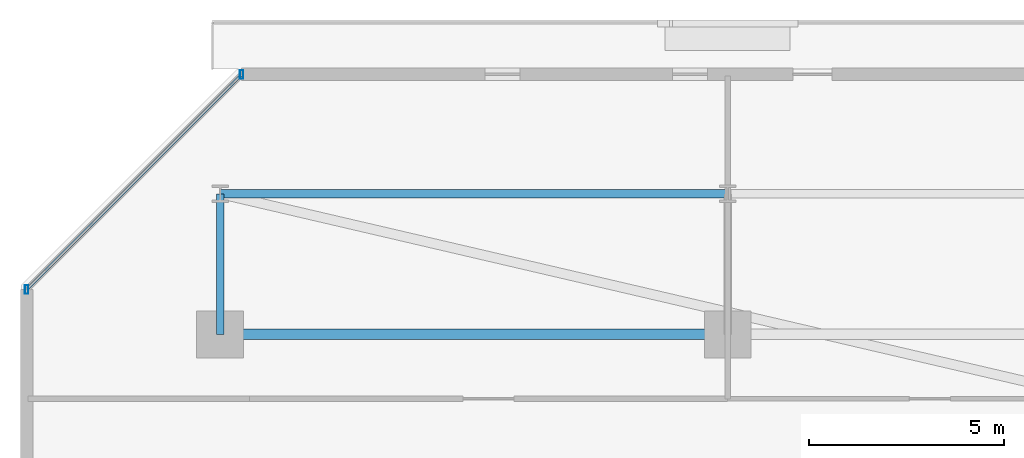
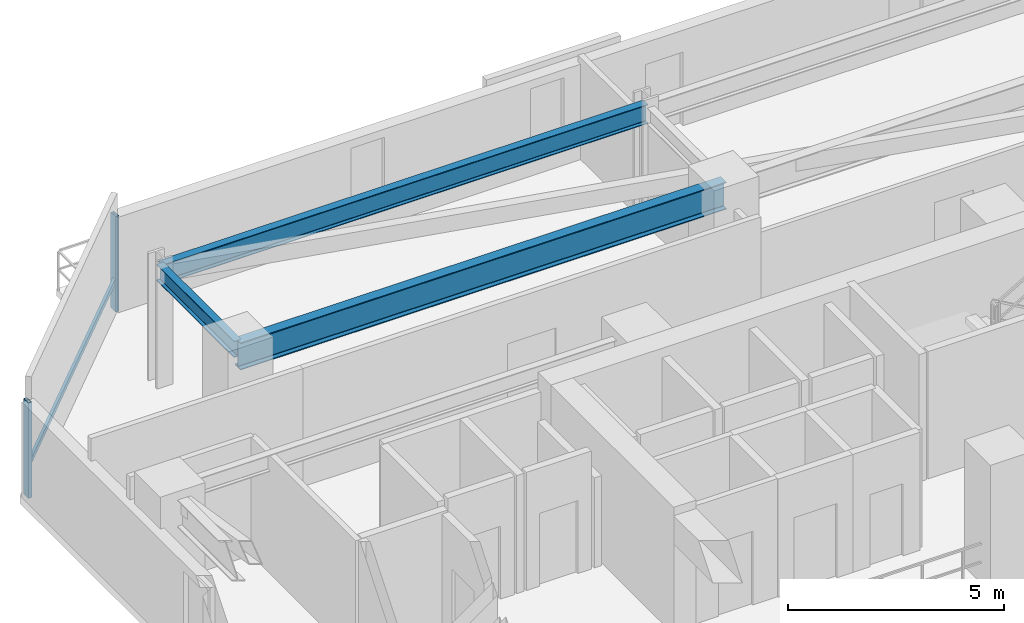
# One storey, part 8 of 29: 3 beams, 3 members, 1 element without a shape of its own.
"""IFC4 building model written with IfcOpenShell, lengths in metres."""

from ifc_helpers import new_model, si_unit, direction, frame, origin, origin_2d, place, context, subcontext, project, spatial, hollow_rectangle, i_section, extrude, material, material_profile, profile_set, type_object, element, aggregate, save


model = new_model("IFC4")

# Units and contexts
model_context = context("Model", 3, precision=1e-05, world=origin(), true_north=direction((0.0, 1.0)))
body_context = subcontext(model_context, "Body", "Model", "MODEL_VIEW")
ifc_project = project(units=[si_unit("LENGTHUNIT", "METRE"), si_unit("AREAUNIT", "SQUARE_METRE"), si_unit("VOLUMEUNIT", "CUBIC_METRE"), si_unit("PLANEANGLEUNIT", "RADIAN"), si_unit("MASSUNIT", "GRAM", prefix="KILO")], contexts=[model_context])

# Site, building, storey
site_placement = place(None, origin())
site = spatial("IfcSite", under=ifc_project, at=site_placement, CompositionType="ELEMENT")
building_placement = place(site_placement, origin())
building = spatial("IfcBuilding", under=site, at=building_placement, Name="Thornwick Lancets Civic Towers", CompositionType="ELEMENT")
storey_placement = place(building_placement, frame((0.0, 0.0, 83.699951171875)))
storey = spatial("IfcBuildingStorey", under=building, at=storey_placement, Name="L21", CompositionType="ELEMENT", Elevation=83.699951171875)

# Beams
ifc_material_1 = material(Name="Steel S355JR", Category="steel")
ifc_material_profile_1 = material_profile(ifc_material_1, i_section(OverallWidth=0.2119140625, OverallDepth=0.54443359375, WebThickness=0.0126953125, FlangeThickness=0.021240234375, FilletRadius=0.0126953125, at=origin_2d()), Name="UKB 533x210x122")
ifc_profile_set_1 = profile_set([ifc_material_profile_1], Name="Steel S355JR")
beam_type_1 = type_object("IfcBeamType", Name="BM_EDGE_533_122", PredefinedType="SPANDREL", material=ifc_profile_set_1)
beam_1_placement = place(storey_placement, frame((12.5, 47.89990234375, 3.087890625), z_axis=(1.0, 0.0, 0.0), x_axis=(0.0, 1.0, 0.0)))
element("IfcBeam", 1, at=beam_1_placement, inside=storey, type_object=beam_type_1, Name="BM-EDGE-L21-A-S2-1", PredefinedType="SPANDREL", context=body_context, shape_type="SweptSolid", body=[
    extrude(i_section(OverallWidth=0.2119140625, OverallDepth=0.54443359375, WebThickness=0.0126953125, FlangeThickness=0.021240234375, FilletRadius=0.0126953125, at=origin_2d()), origin(), (0.0, 0.0, 1.0), 13.0),
])
ifc_material_profile_2 = material_profile(ifc_material_1, i_section(OverallWidth=0.26806640625, OverallDepth=0.769775390625, WebThickness=0.015625, FlangeThickness=0.025390625, FilletRadius=0.0166015625, at=origin_2d()), Name="UKB 762x267x197")
ifc_profile_set_2 = profile_set([ifc_material_profile_2], Name="Steel S355JR")
beam_type_2 = type_object("IfcBeamType", Name="BM_GIRD_762_197", PredefinedType="BEAM", material=ifc_profile_set_2)
beam_2_placement = place(storey_placement, frame((12.5, 44.300048828125, 2.97509765625), z_axis=(1.0, 0.0, 0.0), x_axis=(0.0, 1.0, 0.0)))
element("IfcBeam", 2, at=beam_2_placement, inside=storey, type_object=beam_type_2, Name="BM-SPINE-L21-A-6-7", PredefinedType="BEAM", context=body_context, shape_type="SweptSolid", body=[
    extrude(i_section(OverallWidth=0.26806640625, OverallDepth=0.769775390625, WebThickness=0.015625, FlangeThickness=0.025390625, FilletRadius=0.0166015625, at=origin_2d()), origin(), (0.0, 0.0, 1.0), 13.0),
])
ifc_material_profile_3 = material_profile(ifc_material_1, i_section(OverallWidth=0.19189453125, OverallDepth=0.46337890625, WebThickness=0.010498046875, FlangeThickness=0.017578125, FilletRadius=0.01025390625, at=origin_2d()), Name="UKB 457x191x89")
ifc_profile_set_3 = profile_set([ifc_material_profile_3], Name="Steel S355JR")
beam_type_3 = type_object("IfcBeamType", Name="BM_JOIST_457_89", PredefinedType="JOIST", material=ifc_profile_set_3)
beam_3_placement = place(storey_placement, frame((12.5, 44.300048828125, 3.12841796875), z_axis=(0.0, 1.0, 0.0), x_axis=(-1.0, 0.0, 0.0)))
element("IfcBeam", 3, at=beam_3_placement, inside=storey, type_object=beam_type_3, Name="BM-RAD-L21-A07", PredefinedType="JOIST", context=body_context, shape_type="SweptSolid", body=[
    extrude(i_section(OverallWidth=0.19189453125, OverallDepth=0.46337890625, WebThickness=0.010498046875, FlangeThickness=0.017578125, FilletRadius=0.01025390625, at=origin_2d()), origin(), (0.0, 0.0, 1.0), 3.599853515625),
])

# Curtain wall, members
ifc_material_2 = material(Name="Low-zone chamfered-corner unitised glass curtain wall", Category="glass")
curtain_wall_type = type_object("IfcCurtainWallType", Name="CW_SYS_03", PredefinedType="NOTDEFINED", material=ifc_material_2)
curtain_wall_placement = place(storey_placement, origin())
curtain_wall = element("IfcCurtainWall", 4, at=curtain_wall_placement, inside=storey, type_object=curtain_wall_type, Name="L21 Curtain Wall CW-L21-A-E5", PredefinedType="NOTDEFINED")
ifc_material_3 = material(Name="Thermally broken bronze aluminium S355", Category="steel")
ifc_material_profile_4 = material_profile(ifc_material_3, hollow_rectangle(XDim=0.090087890625, YDim=0.219970703125, WallThickness=0.00634765625, at=origin_2d()), Name="RHS 220x90x6.3")
ifc_profile_set_4 = profile_set([ifc_material_profile_4], Name="Thermally broken bronze aluminium S355")
member_type_1 = type_object("IfcMemberType", Name="CW_MUL_220", PredefinedType="MULLION", material=ifc_profile_set_4)
member_1_placement = place(storey_placement, frame((13.0517578125, 50.955078125, 0.0), z_axis=(0.0, 0.0, 1.0), x_axis=(1.0, 0.0, 0.0)))
member_1 = element("IfcMember", 5, at=member_1_placement, type_object=member_type_1, Name="CW-L21-A-E5 Mullion 0", PredefinedType="MULLION", context=body_context, shape_type="SweptSolid", body=[
    extrude(hollow_rectangle(XDim=0.090087890625, YDim=0.219970703125, WallThickness=0.00634765625, at=origin_2d()), origin(), (0.0, 0.0, 1.0), 2.699951171875),
])
member_2_placement = place(storey_placement, frame((7.544921875, 45.4482421875, 0.0), z_axis=(0.0, 0.0, 1.0), x_axis=(1.0, 0.0, 0.0)))
member_2 = element("IfcMember", 6, at=member_2_placement, type_object=member_type_1, Name="CW-L21-A-E5 Mullion 1", PredefinedType="MULLION", context=body_context, shape_type="SweptSolid", body=[
    extrude(hollow_rectangle(XDim=0.090087890625, YDim=0.219970703125, WallThickness=0.00634765625, at=origin_2d()), origin(), (0.0, 0.0, 1.0), 2.699951171875),
])
ifc_material_profile_5 = material_profile(ifc_material_3, hollow_rectangle(XDim=0.074951171875, YDim=0.14990234375, WallThickness=0.0048828125, at=origin_2d()), Name="RHS 150x75x5")
ifc_profile_set_5 = profile_set([ifc_material_profile_5], Name="Thermally broken bronze aluminium S355")
member_type_2 = type_object("IfcMemberType", Name="CW_TRN_150", PredefinedType="USERDEFINED", material=ifc_profile_set_5)
member_3_placement = place(storey_placement, frame((13.03759765625, 50.94091796875, 0.85009765625), z_axis=(-0.707106781187, -0.707106781187, 0.0), x_axis=(0.707106781187, -0.707106781187, 0.0)))
member_3 = element("IfcMember", 7, at=member_3_placement, type_object=member_type_2, Name="CW-L21-A-E5 Transom 0", ObjectType="TRANSOM", PredefinedType="USERDEFINED", context=body_context, shape_type="SweptSolid", body=[
    extrude(hollow_rectangle(XDim=0.074951171875, YDim=0.14990234375, WallThickness=0.0048828125, at=origin_2d()), origin(), (0.0, 0.0, 1.0), 7.747802734375),
])
aggregate(curtain_wall, [member_1, member_2, member_3])

save(model, "model.ifc")
